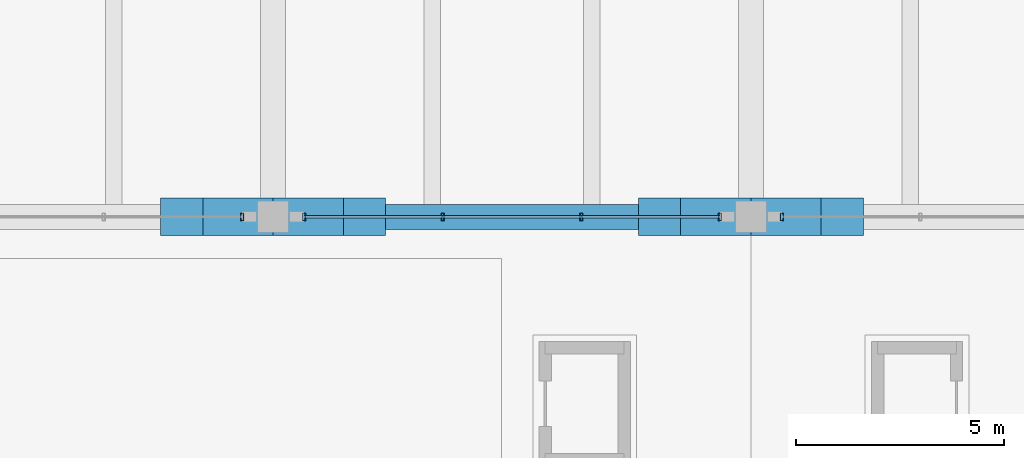
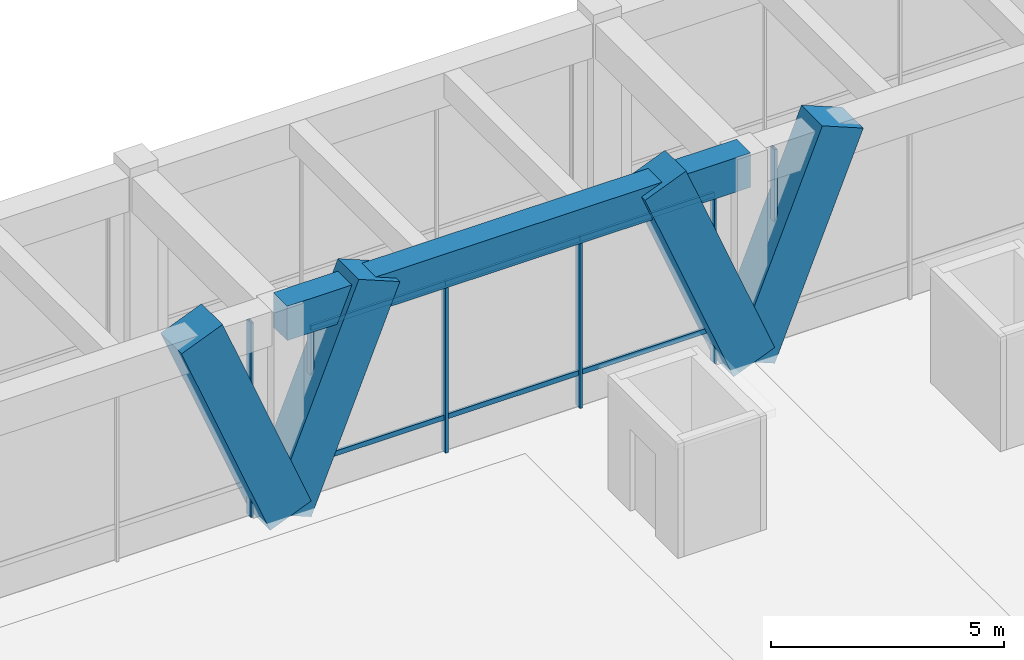
# One storey, part 63 of 148: 16 members, 1 beam, 3 elements without a shape of their own.
"""IFC4 building model written with IfcOpenShell, lengths in metres."""

import ifcopenshell
import ifcopenshell.guid

model = None  # the IFC model being written
_history = None  # IfcOwnerHistory: only IFC2X3 demands one
_inside = {}  # id of a spatial element -> (the spatial element, [elements in it])
_under = {}  # id of a project, library or spatial element -> (it, [spatial elements below it])
_declared = {}  # id of a project -> (the project, [libraries it declares])
_typed = {}  # id of a type object -> (the type object, [elements of that type])
_made_of = {}  # id of a material, layer set ... -> (it, [elements and type objects made of it])


def new_model(schema):
    """Start an empty IFC model of exactly this schema.

    Asked for "IFC4X3", IfcOpenShell would pick the latest addendum, in which some entities
    have other attributes; the version numbers below select the first issue.
    IFC2X3 requires an IfcOwnerHistory on every rooted entity: one is made here for all.
    """
    global model, _history
    if schema == "IFC4X3":
        model = ifcopenshell.file(schema_version=(4, 3, 0, 0))
    else:
        model = ifcopenshell.file(schema=schema)
    _inside.clear()
    _under.clear()
    _declared.clear()
    _typed.clear()
    _made_of.clear()
    _history = None
    if model.schema == "IFC2X3":
        org = make("IfcOrganization", Name="unknown")
        user = make(
            "IfcPersonAndOrganization",
            ThePerson=make("IfcPerson", FamilyName="unknown"),
            TheOrganization=org,
        )
        app = make(
            "IfcApplication",
            ApplicationDeveloper=org,
            Version="unknown",
            ApplicationFullName="unknown",
            ApplicationIdentifier="unknown",
        )
        _history = make(
            "IfcOwnerHistory",
            OwningUser=user,
            OwningApplication=app,
            ChangeAction="ADDED",
            CreationDate=0,
        )
    return model


def make(cls, **values):
    """One entity of the class cls with the attributes given. An attribute that is None is left unset."""
    return model.create_entity(
        cls, **{name: value for name, value in values.items() if value is not None}
    )


def rooted(cls, **values):
    """An entity with a GlobalId (a new one), such as an element, a storey or a relation."""
    return make(cls, GlobalId=ifcopenshell.guid.new(), OwnerHistory=_history, **values)


def si_unit(unit_type, name, prefix=None):
    """IfcSIUnit, for example si_unit("LENGTHUNIT", "METRE", prefix="MILLI")."""
    return make("IfcSIUnit", UnitType=unit_type, Prefix=prefix, Name=name)


def assignment(units):
    """IfcUnitAssignment: the units of a project."""
    return None if units is None else make("IfcUnitAssignment", Units=units)


def point(xyz):
    """IfcCartesianPoint."""
    return None if xyz is None else make("IfcCartesianPoint", Coordinates=xyz)


def direction(xyz):
    """IfcDirection."""
    return None if xyz is None else make("IfcDirection", DirectionRatios=xyz)


def frame(location, z_axis=None, x_axis=None):
    """IfcAxis2Placement3D, a coordinate frame: its origin and axes. An axis left out is left unset."""
    return make(
        "IfcAxis2Placement3D",
        Location=point(location),
        Axis=direction(z_axis),
        RefDirection=direction(x_axis),
    )


def frame_2d(location, x_axis=None):
    """IfcAxis2Placement2D, a coordinate frame in the plane: its origin and x axis."""
    return make(
        "IfcAxis2Placement2D", Location=point(location), RefDirection=direction(x_axis)
    )


def origin():
    """The frame at (0, 0, 0) with its axes left unset."""
    return frame((0.0, 0.0, 0.0))


def origin_2d():
    """The frame at (0, 0) in the plane with its x axis left unset."""
    return frame_2d((0.0, 0.0))


def place(relative_to, where):
    """IfcLocalPlacement: puts the frame where relative to a parent placement (None: the world)."""
    return make(
        "IfcLocalPlacement", PlacementRelTo=relative_to, RelativePlacement=where
    )


def context(
    kind, dimensions, precision=None, world=None, true_north=None, identifier=None
):
    """IfcGeometricRepresentationContext, for example the 3D "Model" context."""
    return make(
        "IfcGeometricRepresentationContext",
        ContextIdentifier=identifier,
        ContextType=kind,
        CoordinateSpaceDimension=dimensions,
        Precision=precision,
        WorldCoordinateSystem=world,
        TrueNorth=true_north,
    )


def subcontext(parent, identifier, kind, view, scale=None):
    """IfcGeometricRepresentationSubContext, for example "Body" below "Model"."""
    return make(
        "IfcGeometricRepresentationSubContext",
        ContextIdentifier=identifier,
        ContextType=kind,
        ParentContext=parent,
        TargetScale=scale,
        TargetView=view,
    )


def project(units=None, contexts=None):
    """IfcProject with its units and contexts."""
    return rooted(
        "IfcProject",
        Name="project",
        RepresentationContexts=contexts,
        UnitsInContext=assignment(units),
    )


def spatial(cls, under=None, at=None, **own):
    """A site, building, storey or space (cls), placed at a placement, below another one or the project."""
    s = rooted(cls, ObjectPlacement=at, **own)
    if under is not None:
        _under.setdefault(under.id(), (under, []))[1].append(s)
    return s


def profile(cls, at=None, kind="AREA", **sizes):
    """A parametric profile (cls). Its sizes go by their IFC names, for example OverallWidth=200.0."""
    return make(cls, ProfileType=kind, Position=at, **sizes)


def rectangle(**sizes):
    """IfcRectangleProfileDef."""
    return profile("IfcRectangleProfileDef", **sizes)


def hollow_rectangle(**sizes):
    """IfcRectangleHollowProfileDef."""
    return profile("IfcRectangleHollowProfileDef", **sizes)


def extrude(swept, where, along, depth):
    """IfcExtrudedAreaSolid: the profile swept, set in the frame where, extruded along a direction by depth."""
    return make(
        "IfcExtrudedAreaSolid",
        SweptArea=swept,
        Position=where,
        ExtrudedDirection=direction(along),
        Depth=depth,
    )


def shape(context_of_items, identifier, shape_type, items):
    """IfcShapeRepresentation: the items that make up one representation, for example the "Body"."""
    return make(
        "IfcShapeRepresentation",
        ContextOfItems=context_of_items,
        RepresentationIdentifier=identifier,
        RepresentationType=shape_type,
        Items=items,
    )


def material(Name=None, Category=None):
    """IfcMaterial."""
    return make("IfcMaterial", Name=Name, Category=Category)


def material_profile(
    of_material, cross_section, Name=None, Category=None, Priority=None
):
    """IfcMaterialProfile: a cross section and its material."""
    return make(
        "IfcMaterialProfile",
        Name=Name,
        Material=of_material,
        Profile=cross_section,
        Priority=Priority,
        Category=Category,
    )


def profile_set(profiles, Name=None, composite=None):
    """IfcMaterialProfileSet."""
    return make(
        "IfcMaterialProfileSet",
        Name=Name,
        MaterialProfiles=profiles,
        CompositeProfile=composite,
    )


def made_of(thing, what):
    """Note that an element or type object is made of a material, layer set ...; save() writes the relation."""
    if what is not None:
        _made_of.setdefault(what.id(), (what, []))[1].append(thing)
    return thing


def type_object(cls, material=None, **own):
    """A type object (cls), such as IfcWallType, which elements share."""
    return made_of(rooted(cls, **own), material)


def element(
    cls,
    number,
    at=None,
    inside=None,
    cuts=None,
    type_object=None,
    material=None,
    context=None,
    identifier="Body",
    shape_type=None,
    held_by="IfcProductDefinitionShape",
    body=None,
    shapes=None,
    **own,
):
    """One element of the class cls, such as IfcWall. Its Tag is "e" and its number.

    at: its placement. inside: the storey or other place that contains it. cuts: it is an
    opening in that element (IfcRelVoidsElement). A single representation is given by context,
    identifier, shape_type and body (its items); several are given by shapes. held_by: the class
    of the entity that holds the representations. save() writes the other relations.
    """
    e = rooted(cls, Tag="e%d" % number, ObjectPlacement=at, **own)
    if body is not None:
        shapes = [shape(context, identifier, shape_type, body)]
    if shapes is not None:
        e.Representation = make(held_by, Representations=shapes)
    if inside is not None:
        _inside.setdefault(inside.id(), (inside, []))[1].append(e)
    if cuts is not None:
        rooted(
            "IfcRelVoidsElement", RelatingBuildingElement=cuts, RelatedOpeningElement=e
        )
    if type_object is not None:
        _typed.setdefault(type_object.id(), (type_object, []))[1].append(e)
    return made_of(e, material)


def aggregate(whole, parts):
    """IfcRelAggregates: a whole, such as a stair, and the parts it consists of."""
    return rooted("IfcRelAggregates", RelatingObject=whole, RelatedObjects=parts)


def save(model, path):
    """Write the relations noted so far, then the file.

    IfcRelAggregates (storeys below a building ...), IfcRelContainedInSpatialStructure (elements
    in a storey), IfcRelDefinesByType, IfcRelAssociatesMaterial and IfcRelDeclares: one each for
    every whole, place, type object, material and project.
    """
    for whole, parts in _under.values():
        aggregate(whole, parts)
    for where, things in _inside.values():
        rooted(
            "IfcRelContainedInSpatialStructure",
            RelatedElements=things,
            RelatingStructure=where,
        )
    for kind, things in _typed.values():
        rooted("IfcRelDefinesByType", RelatedObjects=things, RelatingType=kind)
    for what, things in _made_of.values():
        rooted("IfcRelAssociatesMaterial", RelatedObjects=things, RelatingMaterial=what)
    for by, libraries in _declared.values():
        rooted("IfcRelDeclares", RelatingContext=by, RelatedDefinitions=libraries)
    model.write(path)


model = new_model("IFC4")

# Units and contexts
model_context = context("Model", 3, precision=1e-05, world=origin(), true_north=direction((0.0, 1.0)))
body_context = subcontext(model_context, "Body", "Model", "MODEL_VIEW")
ifc_project = project(units=[si_unit("LENGTHUNIT", "METRE"), si_unit("AREAUNIT", "SQUARE_METRE"), si_unit("VOLUMEUNIT", "CUBIC_METRE"), si_unit("PLANEANGLEUNIT", "RADIAN"), si_unit("MASSUNIT", "GRAM", prefix="KILO")], contexts=[model_context])

# Site, building, storey
site_placement = place(None, origin())
site = spatial("IfcSite", under=ifc_project, at=site_placement, CompositionType="ELEMENT")
building_placement = place(site_placement, origin())
building = spatial("IfcBuilding", under=site, at=building_placement, Name="Ologun Quay Terminus", CompositionType="ELEMENT")
storey_placement = place(building_placement, frame((0.0, 0.0, 8.39990234375)))
storey = spatial("IfcBuildingStorey", under=building, at=storey_placement, Name="L02", CompositionType="ELEMENT", Elevation=8.39990234375)

# Curtain wall, member
ifc_material_1 = material(Name="Aluminium 6063-T6", Category="aluminium")
curtain_wall_type = type_object("IfcCurtainWallType", Name="Train Shed North Clerestory Curtain Wall 10700x4850", PredefinedType="USERDEFINED", material=ifc_material_1)
curtain_wall_1_placement = place(storey_placement, origin())
curtain_wall_1 = element("IfcCurtainWall", 1, at=curtain_wall_1_placement, inside=storey, type_object=curtain_wall_type, Name="CW-09 Curtain Wall CW-L02-057", ObjectType="UNITISED CURTAIN WALL", PredefinedType="USERDEFINED")
ifc_material_2 = material(Name="Aluminium 6063-T6", Category="aluminium")
ifc_material_profile_1 = material_profile(ifc_material_2, hollow_rectangle(XDim=0.070068359375, YDim=0.179931640625, WallThickness=0.0048828125, at=origin_2d()), Name="ALU 180x70x5")
ifc_profile_set_1 = profile_set([ifc_material_profile_1], Name="Aluminium 6063-T6")
member_type_1 = type_object("IfcMemberType", Name="Concourse Clerestory Mullion 180x70", PredefinedType="MULLION", material=ifc_profile_set_1)
member_1_placement = place(storey_placement, frame((79.7548828125, 78.0, 0.0), z_axis=(0.0, 0.0, 1.0), x_axis=(1.0, 0.0, 0.0)))
member_1 = element("IfcMember", 2, at=member_1_placement, type_object=member_type_1, Name="CW-L02-057 Mullion 4", PredefinedType="MULLION", context=body_context, shape_type="SweptSolid", body=[
    extrude(hollow_rectangle(XDim=0.070068359375, YDim=0.179931640625, WallThickness=0.0048828125, at=origin_2d()), origin(), (0.0, 0.0, 1.0), 5.10009765625),
])
aggregate(curtain_wall_1, [member_1])

# Curtain wall, members
curtain_wall_2_placement = place(storey_placement, origin())
curtain_wall_2 = element("IfcCurtainWall", 3, at=curtain_wall_2_placement, inside=storey, type_object=curtain_wall_type, Name="CW-09 Curtain Wall CW-L02-059", ObjectType="UNITISED CURTAIN WALL", PredefinedType="USERDEFINED")
member_2_placement = place(storey_placement, frame((81.2451171875, 78.0, 0.0), z_axis=(0.0, 0.0, 1.0), x_axis=(1.0, 0.0, 0.0)))
member_2 = element("IfcMember", 4, at=member_2_placement, type_object=member_type_1, Name="CW-L02-059 Mullion 1", PredefinedType="MULLION", context=body_context, shape_type="SweptSolid", body=[
    extrude(hollow_rectangle(XDim=0.070068359375, YDim=0.179931640625, WallThickness=0.0048828125, at=origin_2d()), origin(), (0.0, 0.0, 1.0), 5.10009765625),
])
member_3_placement = place(storey_placement, frame((84.581787109375, 78.0, 0.0), z_axis=(0.0, 0.0, 1.0), x_axis=(1.0, 0.0, 0.0)))
member_3 = element("IfcMember", 5, at=member_3_placement, type_object=member_type_1, Name="CW-L02-059 Mullion 2", PredefinedType="MULLION", context=body_context, shape_type="SweptSolid", body=[
    extrude(hollow_rectangle(XDim=0.070068359375, YDim=0.179931640625, WallThickness=0.0048828125, at=origin_2d()), origin(), (0.0, 0.0, 1.0), 5.10009765625),
])
member_4_placement = place(storey_placement, frame((87.918212890625, 78.0, 0.0), z_axis=(0.0, 0.0, 1.0), x_axis=(1.0, 0.0, 0.0)))
member_4 = element("IfcMember", 6, at=member_4_placement, type_object=member_type_1, Name="CW-L02-059 Mullion 3", PredefinedType="MULLION", context=body_context, shape_type="SweptSolid", body=[
    extrude(hollow_rectangle(XDim=0.070068359375, YDim=0.179931640625, WallThickness=0.0048828125, at=origin_2d()), origin(), (0.0, 0.0, 1.0), 5.10009765625),
])
member_5_placement = place(storey_placement, frame((91.2548828125, 78.0, 0.0), z_axis=(0.0, 0.0, 1.0), x_axis=(1.0, 0.0, 0.0)))
member_5 = element("IfcMember", 7, at=member_5_placement, type_object=member_type_1, Name="CW-L02-059 Mullion 4", PredefinedType="MULLION", context=body_context, shape_type="SweptSolid", body=[
    extrude(hollow_rectangle(XDim=0.070068359375, YDim=0.179931640625, WallThickness=0.0048828125, at=origin_2d()), origin(), (0.0, 0.0, 1.0), 5.10009765625),
])

# Curtain wall, member
curtain_wall_3_placement = place(storey_placement, origin())
curtain_wall_3 = element("IfcCurtainWall", 8, at=curtain_wall_3_placement, inside=storey, type_object=curtain_wall_type, Name="CW-09 Curtain Wall CW-L02-061", ObjectType="UNITISED CURTAIN WALL", PredefinedType="USERDEFINED")
member_6_placement = place(storey_placement, frame((92.7451171875, 78.0, 0.0), z_axis=(0.0, 0.0, 1.0), x_axis=(1.0, 0.0, 0.0)))
member_6 = element("IfcMember", 9, at=member_6_placement, type_object=member_type_1, Name="CW-L02-061 Mullion 1", PredefinedType="MULLION", context=body_context, shape_type="SweptSolid", body=[
    extrude(hollow_rectangle(XDim=0.070068359375, YDim=0.179931640625, WallThickness=0.0048828125, at=origin_2d()), origin(), (0.0, 0.0, 1.0), 5.10009765625),
])
aggregate(curtain_wall_3, [member_6])

# Member
ifc_material_3 = material(Name="Aluminium 6063-T6", Category="aluminium")
ifc_material_profile_2 = material_profile(ifc_material_3, hollow_rectangle(XDim=0.06005859375, YDim=0.1298828125, WallThickness=0.00390625, at=origin_2d()), Name="ALU 130x60x4")
ifc_profile_set_2 = profile_set([ifc_material_profile_2], Name="Aluminium 6063-T6")
member_type_2 = type_object("IfcMemberType", Name="Concourse Clerestory Transom 130x60", PredefinedType="USERDEFINED", material=ifc_profile_set_2)
member_7_placement = place(storey_placement, frame((81.2451171875, 78.0, 0.900146484375), z_axis=(1.0, 0.0, 0.0), x_axis=(0.0, 1.0, 0.0)))
member_7 = element("IfcMember", 10, at=member_7_placement, type_object=member_type_2, Name="CW-L02-059 Transom B1-1", ObjectType="TRANSOM", PredefinedType="USERDEFINED", context=body_context, shape_type="SweptSolid", body=[
    extrude(hollow_rectangle(XDim=0.06005859375, YDim=0.1298828125, WallThickness=0.00390625, at=origin_2d()), origin(), (0.0, 0.0, 1.0), 3.336669921875),
])

member_8_placement = place(storey_placement, frame((81.2451171875, 78.0, 4.400146484375), z_axis=(1.0, 0.0, 0.0), x_axis=(0.0, 1.0, 0.0)))
member_8 = element("IfcMember", 11, at=member_8_placement, type_object=member_type_2, Name="CW-L02-059 Transom B1-2", ObjectType="TRANSOM", PredefinedType="USERDEFINED", context=body_context, shape_type="SweptSolid", body=[
    extrude(hollow_rectangle(XDim=0.06005859375, YDim=0.1298828125, WallThickness=0.00390625, at=origin_2d()), origin(), (0.0, 0.0, 1.0), 3.336669921875),
])

member_9_placement = place(storey_placement, frame((84.581787109375, 78.0, 0.900146484375), z_axis=(1.0, 0.0, 0.0), x_axis=(0.0, 1.0, 0.0)))
member_9 = element("IfcMember", 12, at=member_9_placement, type_object=member_type_2, Name="CW-L02-059 Transom B2-1", ObjectType="TRANSOM", PredefinedType="USERDEFINED", context=body_context, shape_type="SweptSolid", body=[
    extrude(hollow_rectangle(XDim=0.06005859375, YDim=0.1298828125, WallThickness=0.00390625, at=origin_2d()), origin(), (0.0, 0.0, 1.0), 3.33642578125),
])

member_10_placement = place(storey_placement, frame((84.581787109375, 78.0, 4.400146484375), z_axis=(1.0, 0.0, 0.0), x_axis=(0.0, 1.0, 0.0)))
member_10 = element("IfcMember", 13, at=member_10_placement, type_object=member_type_2, Name="CW-L02-059 Transom B2-2", ObjectType="TRANSOM", PredefinedType="USERDEFINED", context=body_context, shape_type="SweptSolid", body=[
    extrude(hollow_rectangle(XDim=0.06005859375, YDim=0.1298828125, WallThickness=0.00390625, at=origin_2d()), origin(), (0.0, 0.0, 1.0), 3.33642578125),
])

member_11_placement = place(storey_placement, frame((87.918212890625, 78.0, 0.900146484375), z_axis=(1.0, 0.0, 0.0), x_axis=(0.0, 1.0, 0.0)))
member_11 = element("IfcMember", 14, at=member_11_placement, type_object=member_type_2, Name="CW-L02-059 Transom B3-1", ObjectType="TRANSOM", PredefinedType="USERDEFINED", context=body_context, shape_type="SweptSolid", body=[
    extrude(hollow_rectangle(XDim=0.06005859375, YDim=0.1298828125, WallThickness=0.00390625, at=origin_2d()), origin(), (0.0, 0.0, 1.0), 3.336669921875),
])

member_12_placement = place(storey_placement, frame((87.918212890625, 78.0, 4.400146484375), z_axis=(1.0, 0.0, 0.0), x_axis=(0.0, 1.0, 0.0)))
member_12 = element("IfcMember", 15, at=member_12_placement, type_object=member_type_2, Name="CW-L02-059 Transom B3-2", ObjectType="TRANSOM", PredefinedType="USERDEFINED", context=body_context, shape_type="SweptSolid", body=[
    extrude(hollow_rectangle(XDim=0.06005859375, YDim=0.1298828125, WallThickness=0.00390625, at=origin_2d()), origin(), (0.0, 0.0, 1.0), 3.336669921875),
])

aggregate(curtain_wall_2, [member_2, member_3, member_4, member_5, member_7, member_8, member_9, member_10, member_11, member_12])

# Members
ifc_material_4 = material(Name="Concrete C45/55", Category="concrete")
ifc_material_profile_3 = material_profile(ifc_material_4, rectangle(XDim=0.89990234375, YDim=1.10009765625, at=origin_2d()), Name="RC 900x1100")
ifc_profile_set_3 = profile_set([ifc_material_profile_3], Name="Concrete C45/55")
member_type_3 = type_object("IfcMemberType", Name="Sculpted Concrete Arch V-Buttress Strut 900x1100", PredefinedType="STRUT", material=ifc_profile_set_3)
for number, where, z_axis, x_axis, name in (
    (16, (80.5, 78.0, 0.0), (-0.377280927807, 0.0, 0.926098861631), (0.0, -1.0, 0.0), "VS1 Arch V-Buttress West Limb 8/F"),
    (17, (80.5, 78.0, 0.0), (0.377280927807, 0.0, 0.926098861631), (0.0, 1.0, 0.0), "VS1 Arch V-Buttress East Limb 8/F"),
    (18, (92.0, 78.0, 0.0), (-0.377280927807, 0.0, 0.926098861631), (0.0, -1.0, 0.0), "VS1 Arch V-Buttress West Limb 9/F"),
    (19, (92.0, 78.0, 0.0), (0.377280927807, 0.0, 0.926098861631), (0.0, 1.0, 0.0), "VS1 Arch V-Buttress East Limb 9/F"),
):
    element("IfcMember", number, at=place(storey_placement, frame(where, z_axis=z_axis, x_axis=x_axis)), inside=storey, type_object=member_type_3, Name=name, PredefinedType="STRUT", context=body_context, shape_type="SweptSolid", body=[
        extrude(rectangle(XDim=0.89990234375, YDim=1.10009765625, at=origin_2d()), origin(), (0.0, 0.0, 1.0), 5.8310546875),
    ])

# Beam
ifc_material_5 = material(Name="Concrete C40/50", Category="concrete")
ifc_material_profile_4 = material_profile(ifc_material_5, rectangle(XDim=0.60009765625, YDim=0.89990234375, at=origin_2d()), Name="RC 600x900")
ifc_profile_set_4 = profile_set([ifc_material_profile_4], Name="Concrete C40/50")
beam_type = type_object("IfcBeamType", Name="Station Frame Girder 600x900", PredefinedType="BEAM", material=ifc_profile_set_4)
beam_placement = place(storey_placement, frame((80.5, 78.0, 4.9501953125), z_axis=(1.0, 0.0, 0.0), x_axis=(0.0, 1.0, 0.0)))
element("IfcBeam", 20, at=beam_placement, inside=storey, type_object=beam_type, Name="B3 Beam 8/F L02", PredefinedType="BEAM", context=body_context, shape_type="SweptSolid", body=[
    extrude(rectangle(XDim=0.60009765625, YDim=0.89990234375, at=origin_2d()), origin(), (0.0, 0.0, 1.0), 11.5),
])

save(model, "model.ifc")
